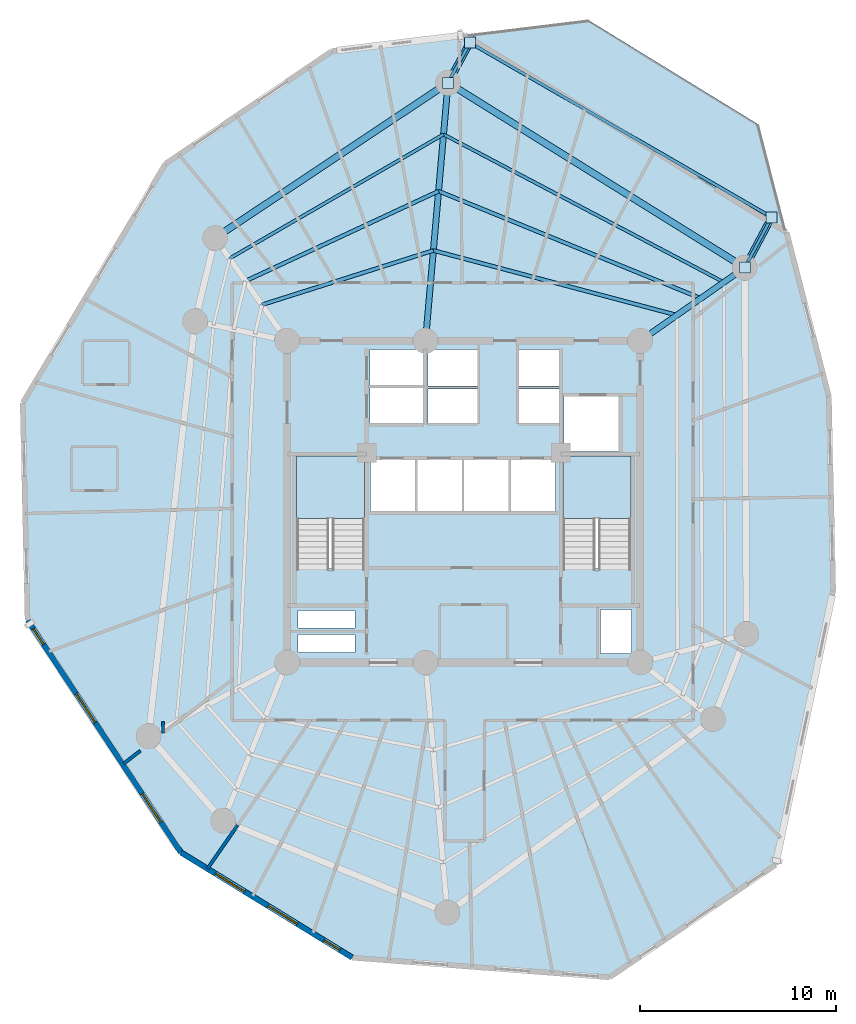
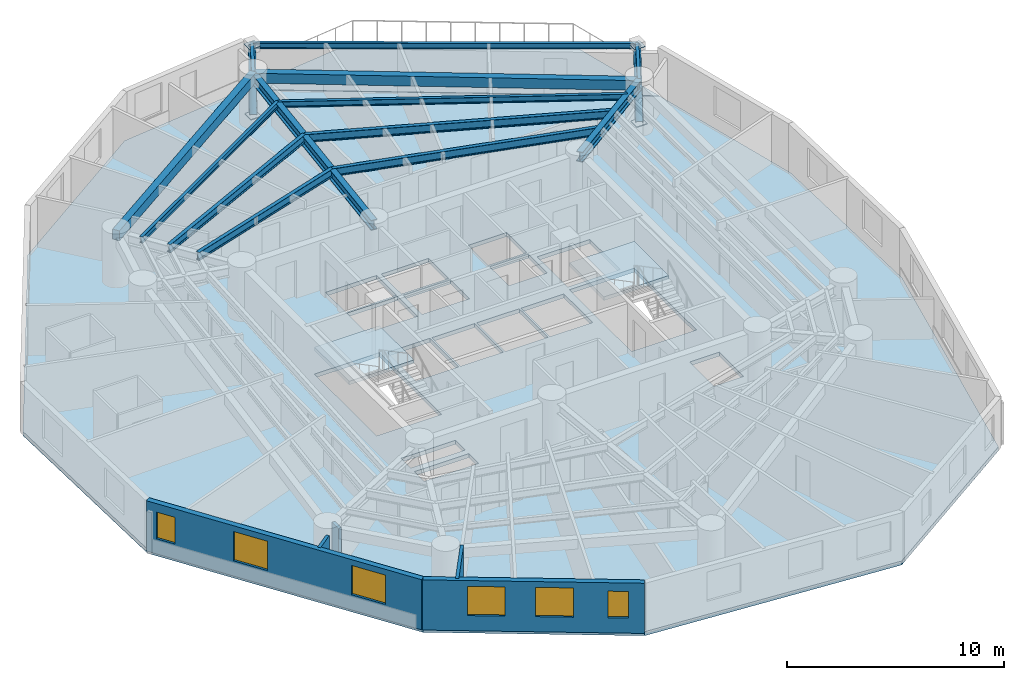
# One storey, part 2 of 9: 13 beams, 6 windows, 5 walls, 4 plates, 4 slabs, 2 members, 6 openings, 2 elements without a shape of their own.
"""IFC4 building model written with IfcOpenShell, lengths in metres."""

from ifc_helpers import new_model, si_unit, direction, frame, frame_2d, origin, origin_with_axes, origin_2d, place, context, subcontext, project, spatial, polyline, rectangle, hollow_circle, i_section, outline, extrude, source, transform, mapped, material, layer, layer_set, material_profile, profile_set, type_object, element, fill, aggregate, save


model = new_model("IFC4")

# Units and contexts
model_context = context("Model", 3, precision=1e-05, world=origin(), true_north=direction((0.0, 1.0)))
body_context = subcontext(model_context, "Body", "Model", "MODEL_VIEW")
ifc_project = project(units=[si_unit("LENGTHUNIT", "METRE"), si_unit("AREAUNIT", "SQUARE_METRE"), si_unit("VOLUMEUNIT", "CUBIC_METRE"), si_unit("PLANEANGLEUNIT", "RADIAN"), si_unit("MASSUNIT", "GRAM", prefix="KILO")], contexts=[model_context])

# Site, building, storey
site_placement = place(None, origin())
site = spatial("IfcSite", under=ifc_project, at=site_placement, CompositionType="ELEMENT")
building_placement = place(site_placement, origin())
building = spatial("IfcBuilding", under=site, at=building_placement, Name="Karkom Vertical University and Central Library", CompositionType="ELEMENT")
storey_placement = place(building_placement, frame((0.0, 0.0, 190.10009765625)))
storey = spatial("IfcBuildingStorey", under=building, at=storey_placement, Name="L55", CompositionType="ELEMENT", Elevation=190.10009765625)

# Beams
ifc_material_1 = material(Name="Precast concrete C45/55", Category="concrete")
ifc_material_profile_1 = material_profile(ifc_material_1, rectangle(XDim=0.35009765625, YDim=0.550048828125, at=origin_2d()), Name="SPB-350x550")
ifc_profile_set_1 = profile_set([ifc_material_profile_1], Name="Precast concrete C45/55")
beam_type_1 = type_object("IfcBeamType", Name="STR-BM-SP-2", PredefinedType="SPANDREL", material=ifc_profile_set_1)
shared_shape_1 = source(origin_with_axes(), body_context, "Body", "SweptSolid", [
    extrude(rectangle(XDim=0.35009765625, YDim=0.550048828125, at=origin_2d()), origin(), (0.0, 0.0, 1.0), 17.81884765625),
])
beam_1_placement = place(storey_placement, frame((42.823974609375, 38.427978515625, 2.5498046875), z_axis=(-0.848764070164, 0.528771740167, 0.0), x_axis=(-0.528771740167, -0.848764070164, 0.0)))
element("IfcBeam", 1, at=beam_1_placement, inside=storey, type_object=beam_type_1, Name="Level 55 Perimeter Spandrel Beam 02", PredefinedType="SPANDREL", context=body_context, shape_type="MappedRepresentation", body=[
    mapped(shared_shape_1, transform((0.0, 0.0, 0.0), scale=1.0)),
])
shared_shape_2 = source(origin_with_axes(), body_context, "Body", "SweptSolid", [
    extrude(rectangle(XDim=0.35009765625, YDim=0.550048828125, at=origin_2d()), origin(), (0.0, 0.0, 1.0), 14.26318359375),
])
beam_2_placement = place(storey_placement, frame((27.699951171875, 47.85009765625, 2.5498046875), z_axis=(-0.83227406272, -0.554364396876, 0.0), x_axis=(0.554364396876, -0.83227406272, 0.0)))
element("IfcBeam", 2, at=beam_2_placement, inside=storey, type_object=beam_type_1, Name="Level 55 Perimeter Spandrel Beam 03", PredefinedType="SPANDREL", context=body_context, shape_type="MappedRepresentation", body=[
    mapped(shared_shape_2, transform((0.0, 0.0, 0.0), scale=1.0)),
])
ifc_material_2 = material(Name="Steel S355", Category="steel")
ifc_material_profile_2 = material_profile(ifc_material_2, i_section(OverallWidth=0.18994140625, OverallDepth=0.449951171875, WebThickness=0.009521484375, FlangeThickness=0.0146484375, FilletRadius=0.02099609375, at=origin_2d()), Name="IPE 450")
ifc_profile_set_2 = profile_set([ifc_material_profile_2], Name="Steel S355")
beam_type_2 = type_object("IfcBeamType", Name="STR-BM-SB-IPE450", PredefinedType="BEAM", material=ifc_profile_set_2)
shared_shape_3 = source(origin_with_axes(), body_context, "Body", "SweptSolid", [
    extrude(i_section(OverallWidth=0.18994140625, OverallDepth=0.449951171875, WebThickness=0.009521484375, FlangeThickness=0.0146484375, FilletRadius=0.02099609375, at=origin_2d()), origin(), (0.0, 0.0, 1.0), 12.841552734375),
])
beam_3_placement = place(storey_placement, frame((39.36328125, 36.0048828125, 2.599853515625), z_axis=(-0.96646647674, 0.256792814032, 0.0), x_axis=(-0.256792814032, -0.96646647674, 0.0)))
element("IfcBeam", 3, at=beam_3_placement, inside=storey, type_object=beam_type_2, Name="Level 55 Secondary Composite Floor Beam 1.02", PredefinedType="BEAM", context=body_context, shape_type="MappedRepresentation", body=[
    mapped(shared_shape_3, transform((0.0, 0.0, 0.0), scale=1.0)),
])
shared_shape_4 = source(origin_with_axes(), body_context, "Body", "SweptSolid", [
    extrude(i_section(OverallWidth=0.18994140625, OverallDepth=0.449951171875, WebThickness=0.009521484375, FlangeThickness=0.0146484375, FilletRadius=0.02099609375, at=origin_2d()), origin(), (0.0, 0.0, 1.0), 9.1650390625),
])
beam_4_placement = place(storey_placement, frame((26.952392578125, 39.302490234375, 2.599853515625), z_axis=(-0.953318200449, -0.301967562319, 0.0), x_axis=(0.301967562319, -0.953318200449, 0.0)))
element("IfcBeam", 4, at=beam_4_placement, inside=storey, type_object=beam_type_2, Name="Level 55 Secondary Composite Floor Beam 1.03", PredefinedType="BEAM", context=body_context, shape_type="MappedRepresentation", body=[
    mapped(shared_shape_4, transform((0.0, 0.0, 0.0), scale=1.0)),
])
shared_shape_5 = source(origin_with_axes(), body_context, "Body", "SweptSolid", [
    extrude(i_section(OverallWidth=0.18994140625, OverallDepth=0.449951171875, WebThickness=0.009521484375, FlangeThickness=0.0146484375, FilletRadius=0.02099609375, at=origin_2d()), origin(), (0.0, 0.0, 1.0), 14.4443359375),
])
beam_5_placement = place(storey_placement, frame((40.587890625, 36.8623046875, 2.599853515625), z_axis=(-0.925675328736, 0.378318894281, 0.0), x_axis=(-0.378318894281, -0.925675328736, 0.0)))
element("IfcBeam", 5, at=beam_5_placement, inside=storey, type_object=beam_type_2, Name="Level 55 Secondary Composite Floor Beam 2.02", PredefinedType="BEAM", context=body_context, shape_type="MappedRepresentation", body=[
    mapped(shared_shape_5, transform((0.0, 0.0, 0.0), scale=1.0)),
])
shared_shape_6 = source(origin_with_axes(), body_context, "Body", "SweptSolid", [
    extrude(i_section(OverallWidth=0.18994140625, OverallDepth=0.449951171875, WebThickness=0.009521484375, FlangeThickness=0.0146484375, FilletRadius=0.02099609375, at=origin_2d()), origin(), (0.0, 0.0, 1.0), 10.86181640625),
])
beam_6_placement = place(storey_placement, frame((27.217041015625, 42.326904296875, 2.599853515625), z_axis=(-0.90649871419, -0.422208575436, 0.0), x_axis=(0.422208575436, -0.90649871419, 0.0)))
element("IfcBeam", 6, at=beam_6_placement, inside=storey, type_object=beam_type_2, Name="Level 55 Secondary Composite Floor Beam 2.03", PredefinedType="BEAM", context=body_context, shape_type="MappedRepresentation", body=[
    mapped(shared_shape_6, transform((0.0, 0.0, 0.0), scale=1.0)),
])
ifc_material_profile_3 = material_profile(ifc_material_2, i_section(OverallWidth=0.159912109375, OverallDepth=0.330078125, WebThickness=0.007568359375, FlangeThickness=0.011474609375, FilletRadius=0.01806640625, at=origin_2d()), Name="IPE 330")
ifc_profile_set_3 = profile_set([ifc_material_profile_3], Name="Steel S355")
beam_type_3 = type_object("IfcBeamType", Name="STR-BM-SB-IPE330", PredefinedType="BEAM", material=ifc_profile_set_3)
shared_shape_7 = source(origin_with_axes(), body_context, "Body", "SweptSolid", [
    extrude(i_section(OverallWidth=0.159912109375, OverallDepth=0.330078125, WebThickness=0.007568359375, FlangeThickness=0.011474609375, FilletRadius=0.01806640625, at=origin_2d()), origin(), (0.0, 0.0, 1.0), 16.155517578125),
])
beam_7_placement = place(storey_placement, frame((41.75927734375, 37.682373046875, 2.659912109375), z_axis=(-0.884486447848, 0.466565883423, 0.0), x_axis=(-0.466565883423, -0.884486447848, 0.0)))
element("IfcBeam", 7, at=beam_7_placement, inside=storey, type_object=beam_type_3, Name="Level 55 Secondary Composite Floor Beam 3.02", PredefinedType="BEAM", context=body_context, shape_type="MappedRepresentation", body=[
    mapped(shared_shape_7, transform((0.0, 0.0, 0.0), scale=1.0)),
])
shared_shape_8 = source(origin_with_axes(), body_context, "Body", "SweptSolid", [
    extrude(i_section(OverallWidth=0.159912109375, OverallDepth=0.330078125, WebThickness=0.007568359375, FlangeThickness=0.011474609375, FilletRadius=0.01806640625, at=origin_2d()), origin(), (0.0, 0.0, 1.0), 12.6083984375),
])
beam_8_placement = place(storey_placement, frame((27.469970703125, 45.219970703125, 2.659912109375), z_axis=(-0.865038920595, -0.50170475965, 0.0), x_axis=(0.50170475965, -0.865038920595, 0.0)))
element("IfcBeam", 8, at=beam_8_placement, inside=storey, type_object=beam_type_3, Name="Level 55 Secondary Composite Floor Beam 3.03", PredefinedType="BEAM", context=body_context, shape_type="MappedRepresentation", body=[
    mapped(shared_shape_8, transform((0.0, 0.0, 0.0), scale=1.0)),
])
ifc_material_profile_4 = material_profile(ifc_material_2, i_section(OverallWidth=0.300048828125, OverallDepth=0.550048828125, WebThickness=0.014892578125, FlangeThickness=0.029052734375, FilletRadius=0.027099609375, at=origin_2d()), Name="HE 550 B")
ifc_profile_set_4 = profile_set([ifc_material_profile_4], Name="Steel S355")
beam_type_4 = type_object("IfcBeamType", Name="STR-BM-SB-HE550", PredefinedType="USERDEFINED", material=ifc_profile_set_4)
shared_shape_9 = source(origin_with_axes(), body_context, "Body", "SweptSolid", [
    extrude(i_section(OverallWidth=0.300048828125, OverallDepth=0.550048828125, WebThickness=0.014892578125, FlangeThickness=0.029052734375, FilletRadius=0.027099609375, at=origin_2d()), origin(), (0.0, 0.0, 1.0), 6.49951171875),
])
beam_9_placement = place(storey_placement, frame((37.5, 34.699951171875, 2.5498046875), z_axis=(0.819141909878, 0.573590909517, 0.0), x_axis=(-0.573590909517, 0.819141909878, 0.0)))
element("IfcBeam", 9, at=beam_9_placement, inside=storey, type_object=beam_type_4, Name="Level 55 Radial Frame Girder 02", ObjectType="GIRDER", PredefinedType="USERDEFINED", context=body_context, shape_type="MappedRepresentation", body=[
    mapped(shared_shape_9, transform((0.0, 0.0, 0.0), scale=1.0)),
])
shared_shape_10 = source(origin_with_axes(), body_context, "Body", "SweptSolid", [
    extrude(i_section(OverallWidth=0.300048828125, OverallDepth=0.550048828125, WebThickness=0.014892578125, FlangeThickness=0.029052734375, FilletRadius=0.027099609375, at=origin_2d()), origin(), (0.0, 0.0, 1.0), 13.200439453125),
])
beam_10_placement = place(storey_placement, frame((26.550048828125, 34.699951171875, 2.5498046875), z_axis=(0.087111657164, 0.996198554098, 0.0), x_axis=(-0.996198554098, 0.087111657164, 0.0)))
element("IfcBeam", 10, at=beam_10_placement, inside=storey, type_object=beam_type_4, Name="Level 55 Radial Frame Girder 03", ObjectType="GIRDER", PredefinedType="USERDEFINED", context=body_context, shape_type="MappedRepresentation", body=[
    mapped(shared_shape_10, transform((0.0, 0.0, 0.0), scale=1.0)),
])
shared_shape_11 = source(origin_with_axes(), body_context, "Body", "SweptSolid", [
    extrude(i_section(OverallWidth=0.159912109375, OverallDepth=0.330078125, WebThickness=0.007568359375, FlangeThickness=0.011474609375, FilletRadius=0.01806640625, at=origin_2d()), origin(), (0.0, 0.0, 1.0), 2.91015625),
])
beam_11_placement = place(storey_placement, frame((42.823974609375, 38.427978515625, 2.659912109375), z_axis=(0.470814647243, 0.882232150821, 0.0), x_axis=(-0.882232150821, 0.470814647243, 0.0)))
element("IfcBeam", 11, at=beam_11_placement, inside=storey, type_object=beam_type_3, Name="Level 55 Sky Garden Outrigger Support Beam 1", PredefinedType="BEAM", context=body_context, shape_type="MappedRepresentation", body=[
    mapped(shared_shape_11, transform((0.0, 0.0, 0.0), scale=1.0)),
])

# Member
ifc_material_profile_5 = material_profile(ifc_material_2, hollow_circle(Radius=0.177734375, WallThickness=0.01611328125, at=origin_2d()), Name="CHS 355.6x16")
ifc_profile_set_5 = profile_set([ifc_material_profile_5], Name="Steel S355")
member_type = type_object("IfcMemberType", Name="STR-MEM-BR-3", PredefinedType="BRACE", material=ifc_profile_set_5)
shared_shape_12 = source(origin_with_axes(), body_context, "Body", "SweptSolid", [
    extrude(hollow_circle(Radius=0.177734375, WallThickness=0.01611328125, at=origin_2d()), origin(), (0.0, 0.0, 1.0), 3.715576171875),
])
member_1_placement = place(storey_placement, frame((42.823974609375, 38.427978515625, 0.349853515625), z_axis=(0.368755732444, 0.690989893511, 0.621733203918), x_axis=(-0.882232150821, 0.470814647243, 0.0)))
element("IfcMember", 12, at=member_1_placement, inside=storey, type_object=member_type, Name="Level 55 Sky Garden Knee Strut Brace 1", PredefinedType="BRACE", context=body_context, shape_type="MappedRepresentation", body=[
    mapped(shared_shape_12, transform((0.0, 0.0, 0.0), scale=1.0)),
])

# Beam
shared_shape_13 = source(origin_with_axes(), body_context, "Body", "SweptSolid", [
    extrude(i_section(OverallWidth=0.159912109375, OverallDepth=0.330078125, WebThickness=0.007568359375, FlangeThickness=0.011474609375, FilletRadius=0.01806640625, at=origin_2d()), origin(), (0.0, 0.0, 1.0), 2.326904296875),
])
beam_12_placement = place(storey_placement, frame((27.699951171875, 47.85009765625, 2.659912109375), z_axis=(0.478124203217, 0.878292232858, 0.0), x_axis=(-0.878292232858, 0.478124203217, 0.0)))
element("IfcBeam", 13, at=beam_12_placement, inside=storey, type_object=beam_type_3, Name="Level 55 Sky Garden Outrigger Support Beam 2", PredefinedType="BEAM", context=body_context, shape_type="MappedRepresentation", body=[
    mapped(shared_shape_13, transform((0.0, 0.0, 0.0), scale=1.0)),
])

# Member
shared_shape_14 = source(origin_with_axes(), body_context, "Body", "SweptSolid", [
    extrude(hollow_circle(Radius=0.177734375, WallThickness=0.01611328125, at=origin_2d()), origin(), (0.0, 0.0, 1.0), 3.27880859375),
])
member_2_placement = place(storey_placement, frame((27.699951171875, 47.85009765625, 0.349853515625), z_axis=(0.339310795796, 0.623298369894, 0.704533410098), x_axis=(-0.878292232858, 0.478124203217, 0.0)))
element("IfcMember", 14, at=member_2_placement, inside=storey, type_object=member_type, Name="Level 55 Sky Garden Knee Strut Brace 2", PredefinedType="BRACE", context=body_context, shape_type="MappedRepresentation", body=[
    mapped(shared_shape_14, transform((0.0, 0.0, 0.0), scale=1.0)),
])

# Beam
shared_shape_15 = source(origin_with_axes(), body_context, "Body", "SweptSolid", [
    extrude(i_section(OverallWidth=0.159912109375, OverallDepth=0.330078125, WebThickness=0.007568359375, FlangeThickness=0.011474609375, FilletRadius=0.01806640625, at=origin_2d()), origin(), (0.0, 0.0, 1.0), 17.77001953125),
])
beam_13_placement = place(storey_placement, frame((44.194091796875, 40.995361328125, 2.659912109375), z_axis=(-0.865589595137, 0.500754084148, 0.0), x_axis=(-0.500754084148, -0.865589595137, 0.0)))
element("IfcBeam", 15, at=beam_13_placement, inside=storey, type_object=beam_type_3, Name="Level 55 Sky Garden Perimeter Edge Beam", PredefinedType="BEAM", context=body_context, shape_type="MappedRepresentation", body=[
    mapped(shared_shape_15, transform((0.0, 0.0, 0.0), scale=1.0)),
])

# Stair, slab
ifc_material_3 = material(Name="Concrete C45/55", Category="concrete")
stair_type = type_object("IfcStairType", Name="INT-STR-ST-MAIN", PredefinedType="HALF_TURN_STAIR", material=ifc_material_3)
stair_1_placement = place(storey_placement, origin())
stair_1 = element("IfcStair", 16, at=stair_1_placement, inside=storey, type_object=stair_type, Name="Level 55 Tower Protected Exit Stair ST-1", PredefinedType="HALF_TURN_STAIR")
ifc_layer_1 = layer(ifc_material_3, 0.199951171875)
ifc_layer_set_1 = layer_set([ifc_layer_1], Name="Concrete C45/55")
slab_type_1 = type_object("IfcSlabType", Name="INT-SLB-LANDING", PredefinedType="LANDING", material=ifc_layer_set_1)
slab_1_placement = place(storey_placement, frame((0.0, 0.0, 1.324951171875)))
slab_1 = element("IfcSlab", 17, at=slab_1_placement, type_object=slab_type_1, Name="ST-1 landing 1", PredefinedType="LANDING", context=body_context, shape_type="SweptSolid", body=[
    extrude(outline(polyline([(23.43994140625, 25.6298828125), (23.43994140625, 28.820068359375), (19.97998046875, 28.820068359375), (19.97998046875, 25.6298828125), (23.43994140625, 25.6298828125)])), origin(), (0.0, 0.0, 1.0), 0.199951171875),
])
aggregate(stair_1, [slab_1])

stair_2_placement = place(storey_placement, origin())
stair_2 = element("IfcStair", 18, at=stair_2_placement, inside=storey, type_object=stair_type, Name="Level 55 Tower Protected Exit Stair ST-2", PredefinedType="HALF_TURN_STAIR")
slab_2_placement = place(storey_placement, frame((0.0, 0.0, 1.324951171875)))
slab_2 = element("IfcSlab", 19, at=slab_2_placement, type_object=slab_type_1, Name="ST-2 landing 1", PredefinedType="LANDING", context=body_context, shape_type="SweptSolid", body=[
    extrude(outline(polyline([(37.02001953125, 25.6298828125), (37.02001953125, 28.820068359375), (33.56005859375, 28.820068359375), (33.56005859375, 25.6298828125), (37.02001953125, 25.6298828125)])), origin(), (0.0, 0.0, 1.0), 0.199951171875),
])
aggregate(stair_2, [slab_2])

# Slabs
ifc_layer_2 = layer(ifc_material_3, 0.22509765625)
ifc_layer_set_2 = layer_set([ifc_layer_2], Name="Concrete C45/55")
slab_type_2 = type_object("IfcSlabType", Name="STR-SLB-FLR-225", PredefinedType="FLOOR", material=ifc_layer_set_2)
slab_3_placement = place(storey_placement, frame((0.0, 0.0, -0.22509765625)))
element("IfcSlab", 20, at=slab_3_placement, inside=storey, type_object=slab_type_2, Name="Level 55 Tower Structural Floor Slab", PredefinedType="FLOOR", context=body_context, shape_type="SweptSolid", body=[
    extrude(outline(polyline([(6.269287109375, 20.464111328125), (14.086181640625, 8.616455078125), (22.8125, 3.26025390625), (35.930419921875, 2.2578125), (44.390625, 7.986083984375), (47.328369140625, 21.97509765625), (47.107421875, 31.861328125), (44.95849609375, 40.21826171875), (28.55615234375, 50.2861328125), (21.780029296875, 49.46240234375), (13.3017578125, 43.7216796875), (6.021728515625, 31.537109375), (6.269287109375, 20.464111328125)]), holes=[polyline([(19.97998046875, 23.0849609375), (23.43994140625, 23.0849609375), (23.43994140625, 28.820068359375), (19.97998046875, 28.820068359375), (19.97998046875, 23.0849609375)]), polyline([(33.56005859375, 23.0849609375), (37.02001953125, 23.0849609375), (37.02001953125, 28.820068359375), (33.56005859375, 28.820068359375), (33.56005859375, 23.0849609375)]), polyline([(23.75, 26.0), (26.030029296875, 26.0), (26.030029296875, 28.64990234375), (23.75, 28.64990234375), (23.75, 26.0)]), polyline([(26.1298828125, 26.0), (28.409912109375, 26.0), (28.409912109375, 28.64990234375), (26.1298828125, 28.64990234375), (26.1298828125, 26.0)]), polyline([(28.510009765625, 26.0), (30.7900390625, 26.0), (30.7900390625, 28.64990234375), (28.510009765625, 28.64990234375), (28.510009765625, 26.0)]), polyline([(30.889892578125, 26.0), (33.169921875, 26.0), (33.169921875, 28.64990234375), (30.889892578125, 28.64990234375), (30.889892578125, 26.0)]), polyline([(26.679931640625, 30.5), (29.199951171875, 30.5), (29.199951171875, 32.25), (26.679931640625, 32.25), (26.679931640625, 30.5)]), polyline([(26.679931640625, 32.39990234375), (29.199951171875, 32.39990234375), (29.199951171875, 34.25), (26.679931640625, 34.25), (26.679931640625, 32.39990234375)]), polyline([(31.300048828125, 30.5), (33.35009765625, 30.5), (33.35009765625, 32.25), (31.300048828125, 32.25), (31.300048828125, 30.5)]), polyline([(31.300048828125, 32.39990234375), (33.35009765625, 32.39990234375), (33.35009765625, 34.25), (31.300048828125, 34.25), (31.300048828125, 32.39990234375)]), polyline([(23.719970703125, 30.47998046875), (26.429931640625, 30.47998046875), (26.429931640625, 32.320068359375), (23.719970703125, 32.320068359375), (23.719970703125, 30.47998046875)]), polyline([(23.719970703125, 32.419921875), (26.429931640625, 32.419921875), (26.429931640625, 34.260009765625), (23.719970703125, 34.260009765625), (23.719970703125, 32.419921875)]), polyline([(33.60009765625, 29.050048828125), (36.39990234375, 29.050048828125), (36.39990234375, 31.85009765625), (33.60009765625, 31.85009765625), (33.60009765625, 29.050048828125)]), polyline([(20.050048828125, 18.820068359375), (22.949951171875, 18.820068359375), (22.949951171875, 19.719970703125), (20.050048828125, 19.719970703125), (20.050048828125, 18.820068359375)]), polyline([(20.050048828125, 20.06005859375), (22.949951171875, 20.06005859375), (22.949951171875, 20.9599609375), (20.050048828125, 20.9599609375), (20.050048828125, 20.06005859375)]), polyline([(35.4599609375, 18.760009765625), (37.0400390625, 18.760009765625), (37.0400390625, 21.010009765625), (35.4599609375, 21.010009765625), (35.4599609375, 18.760009765625)])]), origin(), (0.0, 0.0, 1.0), 0.22509765625),
])
ifc_layer_3 = layer(ifc_material_3, 0.199951171875)
ifc_layer_set_3 = layer_set([ifc_layer_3], Name="Concrete C45/55")
slab_type_3 = type_object("IfcSlabType", Name="STR-SLB-PLN-260", PredefinedType="USERDEFINED", material=ifc_layer_set_3)
slab_4_placement = place(storey_placement, frame((0.0, 0.0, -0.22509765625)))
element("IfcSlab", 21, at=slab_4_placement, inside=storey, type_object=slab_type_3, Name="Level 55 Spiral Sky Garden Planter Terrace", ObjectType="PLANTER", PredefinedType="USERDEFINED", context=body_context, shape_type="SweptSolid", body=[
    extrude(outline(polyline([(34.840087890625, 51.050048828125), (43.5478515625, 45.705078125), (44.951416015625, 40.24609375), (28.587890625, 50.2900390625), (34.840087890625, 51.050048828125)])), origin(), (0.0, 0.0, 1.0), 0.22509765625),
])

# Plates
ifc_layer_4 = layer(ifc_material_2, 0.028076171875)
ifc_layer_set_4 = layer_set([ifc_layer_4], Name="Steel S355")
plate_type = type_object("IfcPlateType", Name="STR-PLT-GP-2", PredefinedType="USERDEFINED", material=ifc_layer_set_4)
shared_shape_16 = source(origin_with_axes(), body_context, "Body", "SweptSolid", [
    extrude(rectangle(XDim=0.56005859375, YDim=0.56005859375, at=origin_2d()), origin(), (0.0, 0.0, 1.0), 0.028076171875),
])
for number, where, z_axis, x_axis, name in (
    (22, (42.823974609375, 38.427978515625, 0.3359375), (0.0, 0.0, 1.0), (1.0, 0.0, 0.0), "Level 55 Node Gusset Cap Plate L55-SKG-KNEE-1 A"),
    (23, (44.194091796875, 40.995361328125, 2.64599609375), (0.0, 0.0, 1.0), (1.0, 0.0, 0.0), "Level 55 Node Gusset Cap Plate L55-SKG-KNEE-1 B"),
    (24, (27.699951171875, 47.85009765625, 0.3359375), (0.0, 0.0, 1.0), (1.0, 0.0, 0.0), "Level 55 Node Gusset Cap Plate L55-SKG-KNEE-2 A"),
    (25, (28.8125, 49.893798828125, 2.64599609375), (0.0, 0.0, 1.0), (1.0, 0.0, 0.0), "Level 55 Node Gusset Cap Plate L55-SKG-KNEE-2 B"),
):
    element("IfcPlate", number, at=place(storey_placement, frame(where, z_axis=z_axis, x_axis=x_axis)), inside=storey, type_object=plate_type, Name=name, ObjectType="GUSSET PLATE", PredefinedType="USERDEFINED", context=body_context, shape_type="MappedRepresentation", body=[
        mapped(shared_shape_16, transform((0.0, 0.0, 0.0), scale=1.0)),
    ])

# Wall, openings, windows
ifc_material_4 = material(Name="Brick-faced precast concrete C45/55", Category="masonry")
ifc_layer_5 = layer(ifc_material_4, 0.280029296875)
ifc_layer_set_5 = layer_set([ifc_layer_5], Name="Brick-faced precast concrete C45/55")
wall_type_1 = type_object("IfcWallType", Name="ENV-WL-BRK-280", PredefinedType="SOLIDWALL", material=ifc_layer_set_5)
wall_1_placement = place(storey_placement, frame((6.269287109375, 20.464111328125, 0.0), z_axis=(0.0, 0.0, 1.0), x_axis=(0.550716639054, -0.834692268725, 0.0)))
wall_1 = element("IfcWall", 26, at=wall_1_placement, inside=storey, type_object=wall_type_1, Name="Level 55 Brick-Faced Precast Facade Wall 01", PredefinedType="SOLIDWALL", context=body_context, shape_type="SweptSolid", body=[
    extrude(rectangle(XDim=14.194091796875, YDim=0.280029296875, at=frame_2d((7.09716796875, 0.0))), origin(), (0.0, 0.0, 1.0), 2.824951171875),
])
opening_1_placement = place(wall_1_placement, frame((0.52734375, 0.0, 0.85009765625)))
opening_1 = element("IfcOpeningElement", 27, at=opening_1_placement, cuts=wall_1, Name="Opening WN-12", PredefinedType="OPENING", context=body_context, shape_type="SweptSolid", body=[
    extrude(rectangle(XDim=0.949951171875, YDim=1.5, at=frame_2d((0.47509765625, 0.75))), frame((0.0, 0.14990234375, 0.0), z_axis=(0.0, -1.0, 0.0), x_axis=(1.0, 0.0, 0.0)), (0.0, 0.0, 1.0), 0.300048828125),
])
opening_2_placement = place(wall_1_placement, frame((4.49951171875, 0.0, 0.85009765625)))
opening_2 = element("IfcOpeningElement", 28, at=opening_2_placement, cuts=wall_1, Name="Opening WN-08", PredefinedType="OPENING", context=body_context, shape_type="SweptSolid", body=[
    extrude(rectangle(XDim=1.75, YDim=1.64990234375, at=frame_2d((0.875, 0.824951171875))), frame((0.0, 0.14990234375, 0.0), z_axis=(0.0, -1.0, 0.0), x_axis=(1.0, 0.0, 0.0)), (0.0, 0.0, 1.0), 0.300048828125),
])
opening_3_placement = place(wall_1_placement, frame((10.59423828125, 0.0, 0.85009765625)))
opening_3 = element("IfcOpeningElement", 29, at=opening_3_placement, cuts=wall_1, Name="Opening WN-08", PredefinedType="OPENING", context=body_context, shape_type="SweptSolid", body=[
    extrude(rectangle(XDim=1.75, YDim=1.64990234375, at=frame_2d((0.875, 0.824951171875))), frame((0.0, 0.14990234375, 0.0), z_axis=(0.0, -1.0, 0.0), x_axis=(1.0, 0.0, 0.0)), (0.0, 0.0, 1.0), 0.300048828125),
])
ifc_material_5 = material(Name="Aluminium thermal-break frame with solar-control IGU", Category="aluminium")
window_type_1 = type_object("IfcWindowType", Name="ENV-WIN-WN-12", PartitioningType="SINGLE_PANEL", PredefinedType="WINDOW", material=ifc_material_5)
shared_shape_17 = source(origin_with_axes(), body_context, "Body", "SweptSolid", [
    extrude(rectangle(XDim=0.949951171875, YDim=1.5, at=frame_2d((0.47509765625, 0.75))), frame((0.0, 0.030029296875, 0.0), z_axis=(0.0, -1.0, 0.0), x_axis=(1.0, 0.0, 0.0)), (0.0, 0.0, 1.0), 0.06005859375),
])
window_1_placement = place(opening_1_placement, origin())
window_1 = element("IfcWindow", 30, at=window_1_placement, inside=storey, type_object=window_type_1, Name="Level 55 Punched Window 1.1", OverallHeight=1.5, OverallWidth=0.949951171875, PartitioningType="SINGLE_PANEL", PredefinedType="WINDOW", context=body_context, shape_type="MappedRepresentation", body=[
    mapped(shared_shape_17, transform((0.0, 0.0, 0.0), scale=1.0)),
])
fill(opening_1, window_1)
window_type_2 = type_object("IfcWindowType", Name="ENV-WIN-WN-08", PartitioningType="SINGLE_PANEL", PredefinedType="WINDOW", material=ifc_material_5)
shared_shape_18 = source(origin_with_axes(), body_context, "Body", "SweptSolid", [
    extrude(rectangle(XDim=1.75, YDim=1.64990234375, at=frame_2d((0.875, 0.824951171875))), frame((0.0, 0.030029296875, 0.0), z_axis=(0.0, -1.0, 0.0), x_axis=(1.0, 0.0, 0.0)), (0.0, 0.0, 1.0), 0.06005859375),
])
window_2_placement = place(opening_2_placement, origin())
window_2 = element("IfcWindow", 31, at=window_2_placement, inside=storey, type_object=window_type_2, Name="Level 55 Punched Window 1.2", OverallHeight=1.64990234375, OverallWidth=1.75, PartitioningType="SINGLE_PANEL", PredefinedType="WINDOW", context=body_context, shape_type="MappedRepresentation", body=[
    mapped(shared_shape_18, transform((0.0, 0.0, 0.0), scale=1.0)),
])
fill(opening_2, window_2)
window_3_placement = place(opening_3_placement, origin())
window_3 = element("IfcWindow", 32, at=window_3_placement, inside=storey, type_object=window_type_2, Name="Level 55 Punched Window 1.3", OverallHeight=1.64990234375, OverallWidth=1.75, PartitioningType="SINGLE_PANEL", PredefinedType="WINDOW", context=body_context, shape_type="MappedRepresentation", body=[
    mapped(shared_shape_18, transform((0.0, 0.0, 0.0), scale=1.0)),
])
fill(opening_3, window_3)

wall_2_placement = place(storey_placement, frame((14.086181640625, 8.616455078125, 0.0), z_axis=(0.0, 0.0, 1.0), x_axis=(0.852261121645, -0.523116603189, 0.0)))
wall_2 = element("IfcWall", 33, at=wall_2_placement, inside=storey, type_object=wall_type_1, Name="Level 55 Brick-Faced Precast Facade Wall 02", PredefinedType="SOLIDWALL", context=body_context, shape_type="SweptSolid", body=[
    extrude(rectangle(XDim=10.239013671875, YDim=0.280029296875, at=frame_2d((5.11962890625, 0.0))), origin(), (0.0, 0.0, 1.0), 2.824951171875),
])
opening_4_placement = place(wall_2_placement, frame((2.0556640625, 0.0, 0.85009765625)))
opening_4 = element("IfcOpeningElement", 34, at=opening_4_placement, cuts=wall_2, Name="Opening WN-08", PredefinedType="OPENING", context=body_context, shape_type="SweptSolid", body=[
    extrude(rectangle(XDim=1.75, YDim=1.64990234375, at=frame_2d((0.875, 0.824951171875))), frame((0.0, 0.14990234375, 0.0), z_axis=(0.0, -1.0, 0.0), x_axis=(1.0, 0.0, 0.0)), (0.0, 0.0, 1.0), 0.300048828125),
])
opening_5_placement = place(wall_2_placement, frame((5.202880859375, 0.0, 0.85009765625)))
opening_5 = element("IfcOpeningElement", 35, at=opening_5_placement, cuts=wall_2, Name="Opening WN-08", PredefinedType="OPENING", context=body_context, shape_type="SweptSolid", body=[
    extrude(rectangle(XDim=1.75, YDim=1.64990234375, at=frame_2d((0.875, 0.824951171875))), frame((0.0, 0.14990234375, 0.0), z_axis=(0.0, -1.0, 0.0), x_axis=(1.0, 0.0, 0.0)), (0.0, 0.0, 1.0), 0.300048828125),
])
opening_6_placement = place(wall_2_placement, frame((8.55419921875, 0.0, 0.85009765625)))
opening_6 = element("IfcOpeningElement", 36, at=opening_6_placement, cuts=wall_2, Name="Opening WN-12", PredefinedType="OPENING", context=body_context, shape_type="SweptSolid", body=[
    extrude(rectangle(XDim=0.949951171875, YDim=1.5, at=frame_2d((0.47509765625, 0.75))), frame((0.0, 0.14990234375, 0.0), z_axis=(0.0, -1.0, 0.0), x_axis=(1.0, 0.0, 0.0)), (0.0, 0.0, 1.0), 0.300048828125),
])
window_4_placement = place(opening_6_placement, origin())
window_4 = element("IfcWindow", 37, at=window_4_placement, inside=storey, type_object=window_type_1, Name="Level 55 Punched Window 2.3", OverallHeight=1.5, OverallWidth=0.949951171875, PartitioningType="SINGLE_PANEL", PredefinedType="WINDOW", context=body_context, shape_type="MappedRepresentation", body=[
    mapped(shared_shape_17, transform((0.0, 0.0, 0.0), scale=1.0)),
])
fill(opening_6, window_4)
window_5_placement = place(opening_4_placement, origin())
window_5 = element("IfcWindow", 38, at=window_5_placement, inside=storey, type_object=window_type_2, Name="Level 55 Punched Window 2.1", OverallHeight=1.64990234375, OverallWidth=1.75, PartitioningType="SINGLE_PANEL", PredefinedType="WINDOW", context=body_context, shape_type="MappedRepresentation", body=[
    mapped(shared_shape_18, transform((0.0, 0.0, 0.0), scale=1.0)),
])
fill(opening_4, window_5)
window_6_placement = place(opening_5_placement, origin())
window_6 = element("IfcWindow", 39, at=window_6_placement, inside=storey, type_object=window_type_2, Name="Level 55 Punched Window 2.2", OverallHeight=1.64990234375, OverallWidth=1.75, PartitioningType="SINGLE_PANEL", PredefinedType="WINDOW", context=body_context, shape_type="MappedRepresentation", body=[
    mapped(shared_shape_18, transform((0.0, 0.0, 0.0), scale=1.0)),
])
fill(opening_5, window_6)

# Walls
ifc_material_6 = material(Name="Insulated metal-stud drywall 160mm", Category="gypsum")
ifc_layer_6 = layer(ifc_material_6, 0.159912109375)
ifc_layer_set_6 = layer_set([ifc_layer_6], Name="Insulated metal-stud drywall 160mm")
wall_type_2 = type_object("IfcWallType", Name="INT-WL-COR-160", PredefinedType="PARTITIONING", material=ifc_layer_set_6)
wall_3_placement = place(storey_placement, frame((16.978271484375, 10.01220703125, 0.0), z_axis=(0.0, 0.0, 1.0), x_axis=(-0.570412750216, -0.821358201025, 0.0)))
element("IfcWall", 40, at=wall_3_placement, inside=storey, type_object=wall_type_2, Name="Level 55 Interior Partition Wall L55-PW-007", PredefinedType="PARTITIONING", context=body_context, shape_type="SweptSolid", body=[
    extrude(rectangle(XDim=2.70068359375, YDim=0.159912109375, at=frame_2d((1.350341796875, 0.0))), origin(), (0.0, 0.0, 1.0), 2.824951171875),
])
wall_4_placement = place(storey_placement, frame((12.01513671875, 13.803955078125, 0.0), z_axis=(0.0, 0.0, 1.0), x_axis=(-0.790577783058, -0.612361632481, 0.0)))
element("IfcWall", 41, at=wall_4_placement, inside=storey, type_object=wall_type_2, Name="Level 55 Interior Partition Wall L55-PW-005", PredefinedType="PARTITIONING", context=body_context, shape_type="SweptSolid", body=[
    extrude(rectangle(XDim=1.0712890625, YDim=0.159912109375, at=frame_2d((0.53564453125, 0.0))), origin(), (0.0, 0.0, 1.0), 2.824951171875),
])
wall_5_placement = place(storey_placement, frame((13.176025390625, 14.703369140625, 0.0), z_axis=(0.0, 0.0, 1.0), x_axis=(0.0, 1.0, 0.0)))
element("IfcWall", 42, at=wall_5_placement, inside=storey, type_object=wall_type_2, Name="Level 55 Interior Partition Wall L55-PW-004", PredefinedType="PARTITIONING", context=body_context, shape_type="SweptSolid", body=[
    extrude(rectangle(XDim=0.58056640625, YDim=0.159912109375, at=frame_2d((0.290283203125, 0.0))), origin(), (0.0, 0.0, 1.0), 2.27490234375),
])

save(model, "model.ifc")
